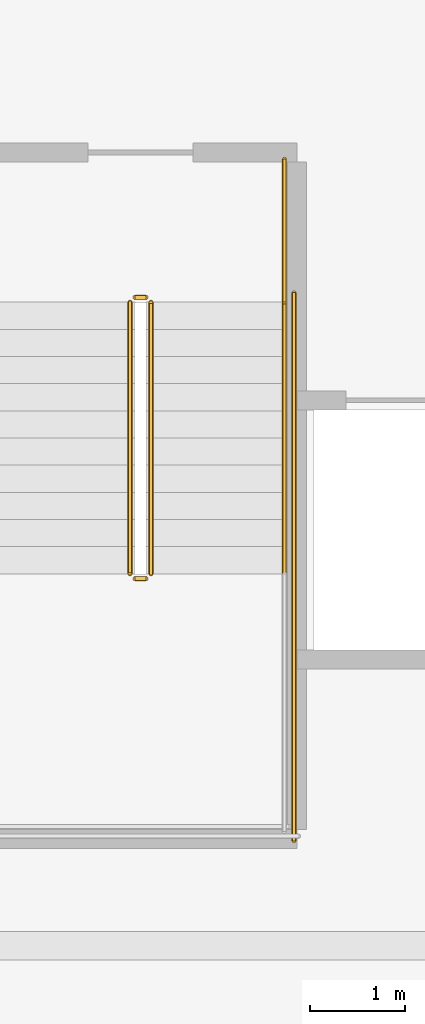
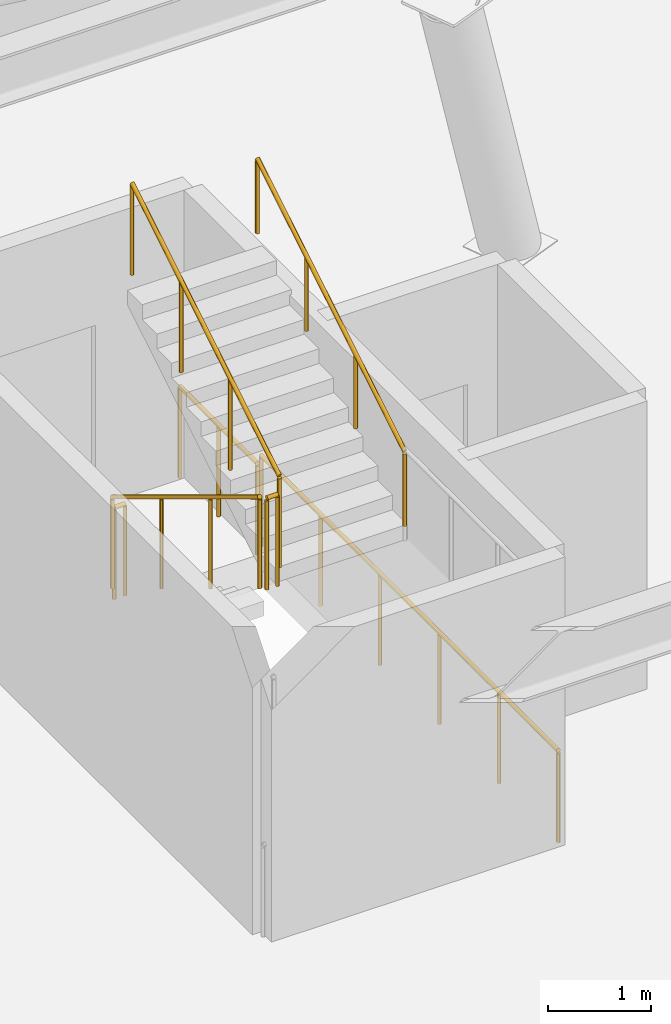
# One storey, part 14 of 15: 7 railings.
"""IFC4 building model written with IfcOpenShell, lengths in metres."""

from ifc_helpers import new_model, si_unit, direction, frame, origin, origin_2d, place, context, subcontext, project, spatial, circle, extrude, material, type_object, element, save


model = new_model("IFC4")

# Units and contexts
model_context = context("Model", 3, precision=1e-05, world=origin(), true_north=direction((0.0, 1.0)))
body_context = subcontext(model_context, "Body", "Model", "MODEL_VIEW")
ifc_project = project(units=[si_unit("LENGTHUNIT", "METRE"), si_unit("AREAUNIT", "SQUARE_METRE"), si_unit("VOLUMEUNIT", "CUBIC_METRE"), si_unit("PLANEANGLEUNIT", "RADIAN"), si_unit("MASSUNIT", "GRAM", prefix="KILO")], contexts=[model_context])

# Site, building, storey
site_placement = place(None, origin())
site = spatial("IfcSite", under=ifc_project, at=site_placement, CompositionType="ELEMENT")
building_placement = place(site_placement, origin())
building = spatial("IfcBuilding", under=site, at=building_placement, Name="Qobustan Lattice House", CompositionType="ELEMENT")
storey_placement = place(building_placement, frame((0.0, 0.0, 281.60009765625)))
storey = spatial("IfcBuildingStorey", under=building, at=storey_placement, Name="L79", CompositionType="ELEMENT", Elevation=281.60009765625)

# Railings
ifc_material_1 = material(Name="Brushed stainless steel handrail", Category="steel")
railing_type_1 = type_object("IfcRailingType", Name="RAL-HR-920", PredefinedType="HANDRAIL", material=ifc_material_1)
railing_1_placement = place(storey_placement, frame((1.510009765625, -1.699951171875, 2.072509765625)))
element("IfcRailing", 1, at=railing_1_placement, inside=storey, type_object=railing_type_1, Name="L79 ST-C1 stair handrail 2", PredefinedType="HANDRAIL", context=body_context, shape_type="SweptSolid", body=[
    extrude(circle(Radius=0.02392578125, at=origin_2d()), frame((0.0, 0.0, 0.8759765625), z_axis=(0.0, 0.855183070636, 0.518326070826), x_axis=(-1.0, 0.0, 0.0)), (0.0, 0.0, 1.0), 3.33251953125),
    extrude(circle(Radius=0.02099609375, at=origin_2d()), origin(), (0.0, 0.0, 1.0), 0.851806640625),
    extrude(circle(Radius=0.02099609375, at=origin_2d()), frame((0.0, 0.949951171875, 0.57568359375)), (0.0, 0.0, 1.0), 0.851806640625),
    extrude(circle(Radius=0.02099609375, at=origin_2d()), frame((0.0, 1.89990234375, 1.151611328125)), (0.0, 0.0, 1.0), 0.851806640625),
    extrude(circle(Radius=0.02099609375, at=origin_2d()), frame((0.0, 2.849853515625, 1.727294921875)), (0.0, 0.0, 1.0), 0.851806640625),
])
ifc_material_2 = material(Name="Painted galvanized steel guardrail", Category="steel")
railing_type_2 = type_object("IfcRailingType", Name="RAL-STG-1150", PredefinedType="GUARDRAIL", material=ifc_material_2)
railing_2_placement = place(storey_placement, frame((-0.110107421875, 1.14990234375, 0.172607421875)))
element("IfcRailing", 2, at=railing_2_placement, inside=storey, type_object=railing_type_2, Name="L79 ST-C1 stair guard 1", PredefinedType="GUARDRAIL", context=body_context, shape_type="SweptSolid", body=[
    extrude(circle(Radius=0.02392578125, at=origin_2d()), frame((0.0, 0.0, 1.076171875), z_axis=(0.0, -0.855183070636, 0.518326070826), x_axis=(1.0, 0.0, 0.0)), (0.0, 0.0, 1.0), 3.33251953125),
    extrude(circle(Radius=0.02099609375, at=origin_2d()), origin(), (0.0, 0.0, 1.0), 1.052001953125),
    extrude(circle(Radius=0.02099609375, at=origin_2d()), frame((0.0, -0.949951171875, 0.57568359375)), (0.0, 0.0, 1.0), 1.052001953125),
    extrude(circle(Radius=0.02099609375, at=origin_2d()), frame((0.0, -1.89990234375, 1.151611328125)), (0.0, 0.0, 1.0), 1.052001953125),
    extrude(circle(Radius=0.02099609375, at=origin_2d()), frame((0.0, -2.849853515625, 1.727294921875)), (0.0, 0.0, 1.0), 1.052001953125),
])
railing_3_placement = place(storey_placement, frame((-0.06005859375, -1.75, 1.89990234375)))
element("IfcRailing", 3, at=railing_3_placement, inside=storey, type_object=railing_type_2, Name="L79 ST-C1 stair guard 2", PredefinedType="GUARDRAIL", context=body_context, shape_type="SweptSolid", body=[
    extrude(circle(Radius=0.02392578125, at=origin_2d()), frame((0.0, 0.0, 1.076171875), z_axis=(1.0, 0.0, 0.0), x_axis=(0.0, 1.0, 0.0)), (0.0, 0.0, 1.0), 0.1201171875),
    extrude(circle(Radius=0.02099609375, at=origin_2d()), origin(), (0.0, 0.0, 1.0), 1.052001953125),
    extrude(circle(Radius=0.02099609375, at=origin_2d()), frame((0.1201171875, 0.0, 0.0)), (0.0, 0.0, 1.0), 1.052001953125),
])
railing_4_placement = place(storey_placement, frame((0.110107421875, -1.699951171875, 2.072509765625)))
element("IfcRailing", 4, at=railing_4_placement, inside=storey, type_object=railing_type_2, Name="L79 ST-C1 stair guard 6", PredefinedType="GUARDRAIL", context=body_context, shape_type="SweptSolid", body=[
    extrude(circle(Radius=0.02392578125, at=origin_2d()), frame((0.0, 0.0, 1.076171875), z_axis=(0.0, 0.855183070636, 0.518326070826), x_axis=(-1.0, 0.0, 0.0)), (0.0, 0.0, 1.0), 3.33251953125),
    extrude(circle(Radius=0.02099609375, at=origin_2d()), origin(), (0.0, 0.0, 1.0), 1.052001953125),
    extrude(circle(Radius=0.02099609375, at=origin_2d()), frame((0.0, 0.949951171875, 0.57568359375)), (0.0, 0.0, 1.0), 1.052001953125),
    extrude(circle(Radius=0.02099609375, at=origin_2d()), frame((0.0, 1.89990234375, 1.151611328125)), (0.0, 0.0, 1.0), 1.052001953125),
    extrude(circle(Radius=0.02099609375, at=origin_2d()), frame((0.0, 2.849853515625, 1.727294921875)), (0.0, 0.0, 1.0), 1.052001953125),
])
railing_5_placement = place(storey_placement, frame((-0.06005859375, 1.199951171875, 0.0)))
element("IfcRailing", 5, at=railing_5_placement, inside=storey, type_object=railing_type_2, Name="L79 ST-C1 stair guard 7", PredefinedType="GUARDRAIL", context=body_context, shape_type="SweptSolid", body=[
    extrude(circle(Radius=0.02392578125, at=origin_2d()), frame((0.0, 0.0, 1.076171875), z_axis=(1.0, 0.0, 0.0), x_axis=(0.0, 1.0, 0.0)), (0.0, 0.0, 1.0), 0.1201171875),
    extrude(circle(Radius=0.02099609375, at=origin_2d()), origin(), (0.0, 0.0, 1.0), 1.052001953125),
    extrude(circle(Radius=0.02099609375, at=origin_2d()), frame((0.1201171875, 0.0, 0.0)), (0.0, 0.0, 1.0), 1.052001953125),
])
railing_6_placement = place(storey_placement, frame((1.510009765625, 2.64990234375, 0.0)))
element("IfcRailing", 6, at=railing_6_placement, inside=storey, type_object=railing_type_2, Name="L79 ST-C1 stair guard 9", PredefinedType="GUARDRAIL", context=body_context, shape_type="SweptSolid", body=[
    extrude(circle(Radius=0.02392578125, at=origin_2d()), frame((0.0, 0.0, 1.076171875), z_axis=(0.0, -1.0, 0.0), x_axis=(1.0, 0.0, 0.0)), (0.0, 0.0, 1.0), 1.5),
    extrude(circle(Radius=0.02099609375, at=origin_2d()), origin(), (0.0, 0.0, 1.0), 1.052001953125),
    extrude(circle(Radius=0.02099609375, at=origin_2d()), frame((0.0, -0.75, 0.0)), (0.0, 0.0, 1.0), 1.052001953125),
    extrude(circle(Radius=0.02099609375, at=origin_2d()), frame((0.0, -1.5, 0.0)), (0.0, 0.0, 1.0), 1.052001953125),
])
railing_7_placement = place(storey_placement, frame((1.610107421875, 1.25, 0.0)))
element("IfcRailing", 7, at=railing_7_placement, inside=storey, type_object=railing_type_2, Name="L79 ST-C1 stair guard 11", PredefinedType="GUARDRAIL", context=body_context, shape_type="SweptSolid", body=[
    extrude(circle(Radius=0.02392578125, at=origin_2d()), frame((0.0, 0.0, 1.076171875), z_axis=(0.0, -1.0, 0.0), x_axis=(1.0, 0.0, 0.0)), (0.0, 0.0, 1.0), 5.75),
    extrude(circle(Radius=0.02099609375, at=origin_2d()), origin(), (0.0, 0.0, 1.0), 1.052001953125),
    extrude(circle(Radius=0.02099609375, at=origin_2d()), frame((0.0, -1.14990234375, 0.0)), (0.0, 0.0, 1.0), 1.052001953125),
    extrude(circle(Radius=0.02099609375, at=origin_2d()), frame((0.0, -2.300048828125, 0.0)), (0.0, 0.0, 1.0), 1.052001953125),
    extrude(circle(Radius=0.02099609375, at=origin_2d()), frame((0.0, -3.449951171875, 0.0)), (0.0, 0.0, 1.0), 1.052001953125),
    extrude(circle(Radius=0.02099609375, at=origin_2d()), frame((0.0, -4.60009765625, 0.0)), (0.0, 0.0, 1.0), 1.052001953125),
    extrude(circle(Radius=0.02099609375, at=origin_2d()), frame((0.0, -5.75, 0.0)), (0.0, 0.0, 1.0), 1.052001953125),
])

save(model, "model.ifc")
